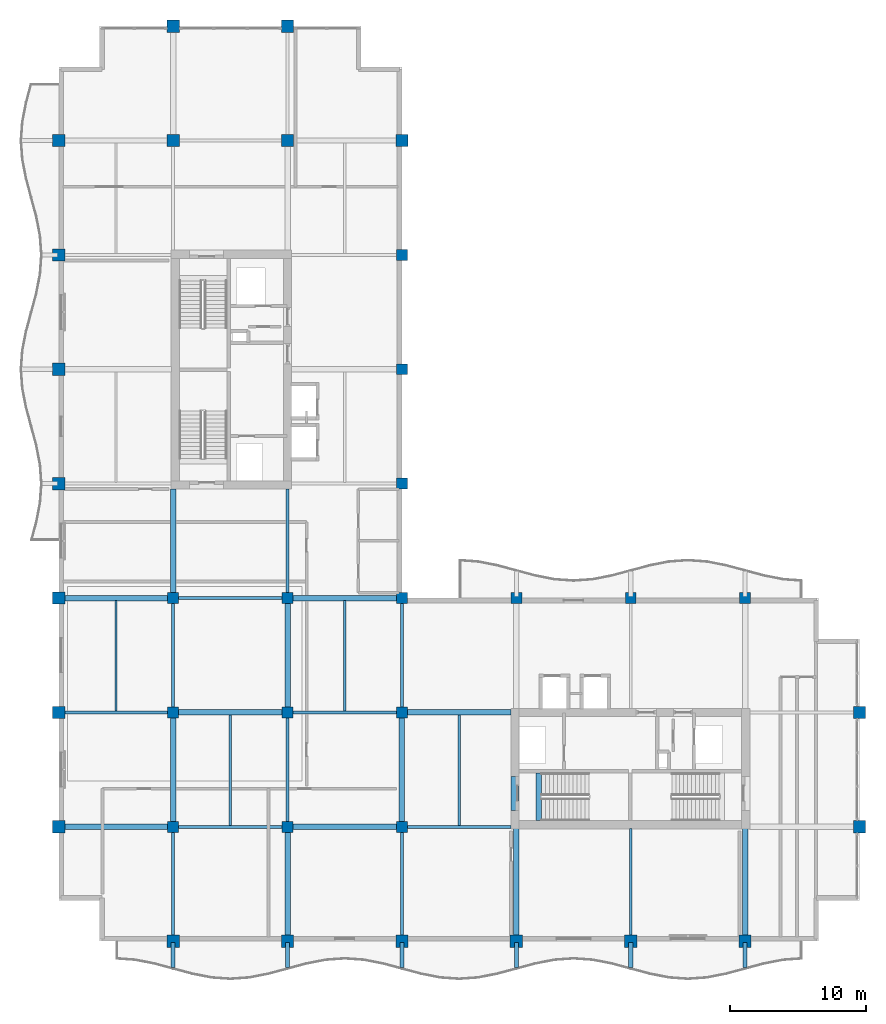
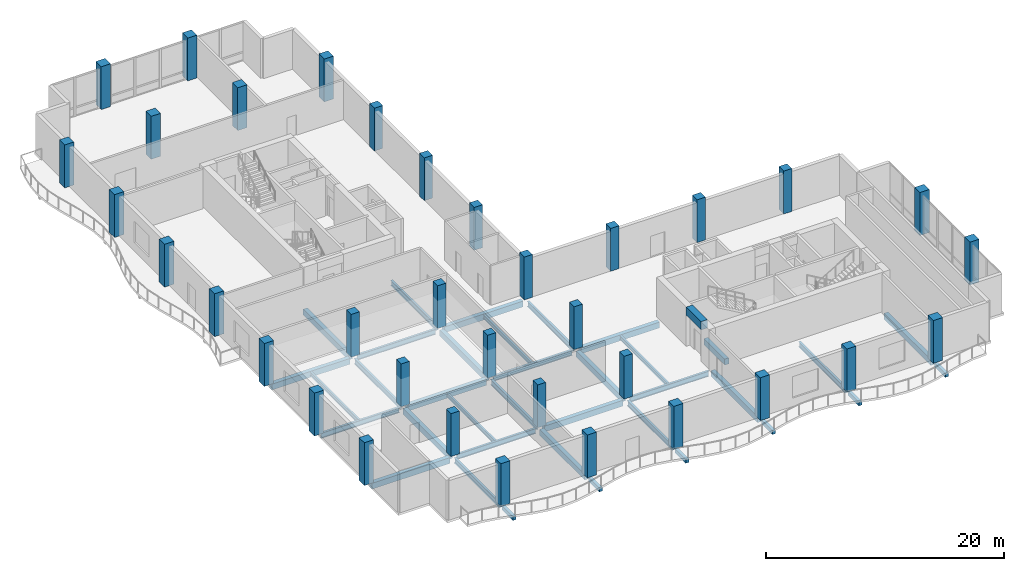
# One storey, part 1 of 15: 37 beams, 35 columns.
"""IFC4 building model written with IfcOpenShell, lengths in metres."""

from ifc_helpers import new_model, si_unit, direction, frame, origin, origin_2d, place, context, subcontext, project, spatial, rectangle, i_section, extrude, material, material_profile, profile_set, type_object, element, save


model = new_model("IFC4")

# Units and contexts
model_context = context("Model", 3, precision=1e-05, world=origin(), true_north=direction((0.0, 1.0)))
body_context = subcontext(model_context, "Body", "Model", "MODEL_VIEW")
ifc_project = project(units=[si_unit("LENGTHUNIT", "METRE"), si_unit("AREAUNIT", "SQUARE_METRE"), si_unit("VOLUMEUNIT", "CUBIC_METRE"), si_unit("PLANEANGLEUNIT", "RADIAN"), si_unit("MASSUNIT", "GRAM", prefix="KILO")], contexts=[model_context])

# Site, building, storey
site_placement = place(None, origin())
site = spatial("IfcSite", under=ifc_project, at=site_placement, CompositionType="ELEMENT")
building_placement = place(site_placement, origin())
building = spatial("IfcBuilding", under=site, at=building_placement, Name="Koriwani Terraces Tower", CompositionType="ELEMENT")
storey_placement = place(building_placement, frame((0.0, 0.0, 290.39990234375)))
storey = spatial("IfcBuildingStorey", under=building, at=storey_placement, Name="L72", CompositionType="ELEMENT", Elevation=290.39990234375)

# Columns
ifc_material_1 = material(Name="Concrete C50/60", Category="concrete")
ifc_material_profile_1 = material_profile(ifc_material_1, rectangle(XDim=0.800048828125, YDim=0.800048828125, at=origin_2d()), Name="Concrete C50/60", Category="LoadBearing")
ifc_profile_set_1 = profile_set([ifc_material_profile_1], Name="Concrete C50/60")
column_type_1 = type_object("IfcColumnType", Name="COL_RC_800X800", PredefinedType="COLUMN", material=ifc_profile_set_1)
for number, where, z_axis, x_axis, name in (
    (1, (16.800048828125, 16.800048828125, 0.0), (0.0, 0.0, 1.0), (1.0, 0.0, 0.0), "L72 Column 3/C"),
    (2, (16.800048828125, 25.199951171875, 0.0), (0.0, 0.0, 1.0), (1.0, 0.0, 0.0), "L72 Column 3/D"),
    (3, (16.800048828125, 33.60009765625, 0.0), (0.0, 0.0, 1.0), (1.0, 0.0, 0.0), "L72 Column 3/E"),
    (4, (25.199951171875, 16.800048828125, 0.0), (0.0, 0.0, 1.0), (1.0, 0.0, 0.0), "L72 Column 4/C"),
    (5, (25.199951171875, 25.199951171875, 0.0), (0.0, 0.0, 1.0), (1.0, 0.0, 0.0), "L72 Column 4/D"),
    (6, (25.199951171875, 33.60009765625, 0.0), (0.0, 0.0, 1.0), (1.0, 0.0, 0.0), "L72 Column 4/E"),
    (7, (33.60009765625, 16.800048828125, 0.0), (0.0, 0.0, 1.0), (1.0, 0.0, 0.0), "L72 Column 5/C"),
    (8, (33.60009765625, 25.199951171875, 0.0), (0.0, 0.0, 1.0), (1.0, 0.0, 0.0), "L72 Column 5/D"),
    (9, (33.60009765625, 33.60009765625, 0.0), (0.0, 0.0, 1.0), (1.0, 0.0, 0.0), "L72 Column 5/E"),
    (10, (33.60009765625, 42.0, 0.0), (0.0, 0.0, 1.0), (1.0, 0.0, 0.0), "L72 Column 5/F"),
    (11, (33.60009765625, 50.39990234375, 0.0), (0.0, 0.0, 1.0), (1.0, 0.0, 0.0), "L72 Column 5/G"),
    (12, (33.60009765625, 58.800048828125, 0.0), (0.0, 0.0, 1.0), (1.0, 0.0, 0.0), "L72 Column 5/H"),
    (13, (42.0, 33.60009765625, 0.0), (0.0, 0.0, 1.0), (1.0, 0.0, 0.0), "L72 Column 6/E"),
    (14, (50.39990234375, 33.60009765625, 0.0), (0.0, 0.0, 1.0), (1.0, 0.0, 0.0), "L72 Column 7/E"),
    (15, (58.800048828125, 33.60009765625, 0.0), (0.0, 0.0, 1.0), (1.0, 0.0, 0.0), "L72 Column 8/E"),
):
    element("IfcColumn", number, at=place(storey_placement, frame(where, z_axis=z_axis, x_axis=x_axis)), inside=storey, type_object=column_type_1, Name=name, PredefinedType="COLUMN", context=body_context, shape_type="SweptSolid", body=[
        extrude(rectangle(XDim=0.800048828125, YDim=0.800048828125, at=origin_2d()), origin(), (0.0, 0.0, 1.0), 4.400146484375),
    ])
ifc_material_profile_2 = material_profile(ifc_material_1, rectangle(XDim=0.89990234375, YDim=0.89990234375, at=origin_2d()), Name="Concrete C50/60", Category="LoadBearing")
ifc_profile_set_2 = profile_set([ifc_material_profile_2], Name="Concrete C50/60")
column_type_2 = type_object("IfcColumnType", Name="COL_RC_900X900", PredefinedType="COLUMN", material=ifc_profile_set_2)
for number, where, z_axis, x_axis, name in (
    (16, (8.39990234375, 16.800048828125, 0.0), (0.0, 0.0, 1.0), (1.0, 0.0, 0.0), "L72 Column 2/C"),
    (17, (8.39990234375, 25.199951171875, 0.0), (0.0, 0.0, 1.0), (1.0, 0.0, 0.0), "L72 Column 2/D"),
    (18, (8.39990234375, 33.60009765625, 0.0), (0.0, 0.0, 1.0), (1.0, 0.0, 0.0), "L72 Column 2/E"),
    (19, (8.39990234375, 42.0, 0.0), (0.0, 0.0, 1.0), (1.0, 0.0, 0.0), "L72 Column 2/F"),
    (20, (8.39990234375, 50.39990234375, 0.0), (0.0, 0.0, 1.0), (1.0, 0.0, 0.0), "L72 Column 2/G"),
    (21, (8.39990234375, 58.800048828125, 0.0), (0.0, 0.0, 1.0), (1.0, 0.0, 0.0), "L72 Column 2/H"),
    (22, (8.39990234375, 67.199951171875, 0.0), (0.0, 0.0, 1.0), (1.0, 0.0, 0.0), "L72 Column 2/I"),
    (23, (16.800048828125, 8.39990234375, 0.0), (0.0, 0.0, 1.0), (1.0, 0.0, 0.0), "L72 Column 3/B"),
    (24, (16.800048828125, 67.199951171875, 0.0), (0.0, 0.0, 1.0), (1.0, 0.0, 0.0), "L72 Column 3/I"),
    (25, (16.800048828125, 75.60009765625, 0.0), (0.0, 0.0, 1.0), (1.0, 0.0, 0.0), "L72 Column 3/J"),
    (26, (25.199951171875, 8.39990234375, 0.0), (0.0, 0.0, 1.0), (1.0, 0.0, 0.0), "L72 Column 4/B"),
    (27, (25.199951171875, 67.199951171875, 0.0), (0.0, 0.0, 1.0), (1.0, 0.0, 0.0), "L72 Column 4/I"),
    (28, (25.199951171875, 75.60009765625, 0.0), (0.0, 0.0, 1.0), (1.0, 0.0, 0.0), "L72 Column 4/J"),
    (29, (33.60009765625, 8.39990234375, 0.0), (0.0, 0.0, 1.0), (1.0, 0.0, 0.0), "L72 Column 5/B"),
    (30, (33.60009765625, 67.199951171875, 0.0), (0.0, 0.0, 1.0), (1.0, 0.0, 0.0), "L72 Column 5/I"),
    (31, (42.0, 8.39990234375, 0.0), (0.0, 0.0, 1.0), (1.0, 0.0, 0.0), "L72 Column 6/B"),
    (32, (50.39990234375, 8.39990234375, 0.0), (0.0, 0.0, 1.0), (1.0, 0.0, 0.0), "L72 Column 7/B"),
    (33, (58.800048828125, 8.39990234375, 0.0), (0.0, 0.0, 1.0), (1.0, 0.0, 0.0), "L72 Column 8/B"),
    (34, (67.199951171875, 16.800048828125, 0.0), (0.0, 0.0, 1.0), (1.0, 0.0, 0.0), "L72 Column 9/C"),
    (35, (67.199951171875, 25.199951171875, 0.0), (0.0, 0.0, 1.0), (1.0, 0.0, 0.0), "L72 Column 9/D"),
):
    element("IfcColumn", number, at=place(storey_placement, frame(where, z_axis=z_axis, x_axis=x_axis)), inside=storey, type_object=column_type_2, Name=name, PredefinedType="COLUMN", context=body_context, shape_type="SweptSolid", body=[
        extrude(rectangle(XDim=0.89990234375, YDim=0.89990234375, at=origin_2d()), origin(), (0.0, 0.0, 1.0), 4.400146484375),
    ])

# Beams
ifc_material_2 = material(Name="Concrete C40/50", Category="concrete")
ifc_material_profile_3 = material_profile(ifc_material_2, rectangle(XDim=0.300048828125, YDim=0.39990234375, at=origin_2d()), Name="Concrete C40/50", Category="LoadBearing")
ifc_profile_set_3 = profile_set([ifc_material_profile_3], Name="Concrete C40/50")
beam_type_1 = type_object("IfcBeamType", Name="BEAM_RC_BALCONY_RIB_300X400", PredefinedType="JOIST", material=ifc_profile_set_3)
for number, where, z_axis, x_axis, name in (
    (36, (16.800048828125, 6.449951171875, -0.429931640625), (0.0, 1.0, 0.0), (-1.0, 0.0, 0.0), "L72 Balcony Bracket Rib S-1"),
    (37, (25.199951171875, 6.449951171875, -0.429931640625), (0.0, 1.0, 0.0), (-1.0, 0.0, 0.0), "L72 Balcony Bracket Rib S-2"),
    (38, (33.60009765625, 6.449951171875, -0.429931640625), (0.0, 1.0, 0.0), (-1.0, 0.0, 0.0), "L72 Balcony Bracket Rib S-3"),
    (39, (42.0, 6.449951171875, -0.429931640625), (0.0, 1.0, 0.0), (-1.0, 0.0, 0.0), "L72 Balcony Bracket Rib S-4"),
    (40, (50.39990234375, 6.449951171875, -0.429931640625), (0.0, 1.0, 0.0), (-1.0, 0.0, 0.0), "L72 Balcony Bracket Rib S-5"),
    (41, (58.800048828125, 6.449951171875, -0.429931640625), (0.0, 1.0, 0.0), (-1.0, 0.0, 0.0), "L72 Balcony Bracket Rib S-6"),
):
    element("IfcBeam", number, at=place(storey_placement, frame(where, z_axis=z_axis, x_axis=x_axis)), inside=storey, type_object=beam_type_1, Name=name, PredefinedType="JOIST", context=body_context, shape_type="SweptSolid", body=[
        extrude(rectangle(XDim=0.300048828125, YDim=0.39990234375, at=origin_2d()), origin(), (0.0, 0.0, 1.0), 1.85009765625),
    ])
ifc_material_profile_4 = material_profile(ifc_material_1, rectangle(XDim=0.60009765625, YDim=0.85009765625, at=origin_2d()), Name="Concrete C50/60", Category="LoadBearing")
ifc_profile_set_4 = profile_set([ifc_material_profile_4], Name="Concrete C50/60")
beam_type_2 = type_object("IfcBeamType", Name="BEAM_RC_COUPLING_600X850", PredefinedType="LINTEL", material=ifc_profile_set_4)
beam_1_placement = place(storey_placement, frame((41.89990234375, 18.0, 3.625), z_axis=(0.0, 1.0, 0.0), x_axis=(-1.0, 0.0, 0.0)))
element("IfcBeam", 42, at=beam_1_placement, inside=storey, type_object=beam_type_2, Name="L72 Core Coupling Lintel Beam EW", PredefinedType="LINTEL", context=body_context, shape_type="SweptSolid", body=[
    extrude(rectangle(XDim=0.60009765625, YDim=0.85009765625, at=origin_2d()), origin(), (0.0, 0.0, 1.0), 2.5),
])
ifc_material_profile_5 = material_profile(ifc_material_2, rectangle(XDim=0.39990234375, YDim=0.60009765625, at=origin_2d()), Name="Concrete C40/50", Category="LoadBearing")
ifc_profile_set_5 = profile_set([ifc_material_profile_5], Name="Concrete C40/50")
beam_type_3 = type_object("IfcBeamType", Name="BEAM_RC_GRID_400X600", PredefinedType="BEAM", material=ifc_profile_set_5)
beam_2_placement = place(storey_placement, frame((43.655029296875, 17.25, -0.2998046875), z_axis=(0.0, 1.0, 0.0), x_axis=(-1.0, 0.0, 0.0)))
element("IfcBeam", 43, at=beam_2_placement, inside=storey, type_object=beam_type_3, Name="L72 Stairwell Header Trimmer Beam ST-E1", PredefinedType="BEAM", context=body_context, shape_type="SweptSolid", body=[
    extrude(rectangle(XDim=0.39990234375, YDim=0.60009765625, at=origin_2d()), origin(), (0.0, 0.0, 1.0), 3.5),
])
beam_3_placement = place(storey_placement, frame((8.830078125, 16.800048828125, -0.52978515625), z_axis=(1.0, 0.0, 0.0), x_axis=(0.0, 1.0, 0.0)))
element("IfcBeam", 44, at=beam_3_placement, inside=storey, type_object=beam_type_3, Name="L72 Grid Beam C (8.4-16.8m)", PredefinedType="BEAM", context=body_context, shape_type="SweptSolid", body=[
    extrude(rectangle(XDim=0.39990234375, YDim=0.60009765625, at=origin_2d()), origin(), (0.0, 0.0, 1.0), 7.58984375),
])
beam_4_placement = place(storey_placement, frame((25.580078125, 16.800048828125, -0.52978515625), z_axis=(1.0, 0.0, 0.0), x_axis=(0.0, 1.0, 0.0)))
element("IfcBeam", 45, at=beam_4_placement, inside=storey, type_object=beam_type_3, Name="L72 Grid Beam C (25.2-33.6m)", PredefinedType="BEAM", context=body_context, shape_type="SweptSolid", body=[
    extrude(rectangle(XDim=0.39990234375, YDim=0.60009765625, at=origin_2d()), origin(), (0.0, 0.0, 1.0), 7.639892578125),
])
for number, where, z_axis, x_axis, name in (
    (46, (17.179931640625, 25.199951171875, -0.52978515625), (1.0, 0.0, 0.0), (0.0, 1.0, 0.0), "L72 Grid Beam D (16.8-25.2m)"),
    (47, (33.97998046875, 25.199951171875, -0.52978515625), (1.0, 0.0, 0.0), (0.0, 1.0, 0.0), "L72 Grid Beam D (33.6-42.0m)"),
):
    element("IfcBeam", number, at=place(storey_placement, frame(where, z_axis=z_axis, x_axis=x_axis)), inside=storey, type_object=beam_type_3, Name=name, PredefinedType="BEAM", context=body_context, shape_type="SweptSolid", body=[
        extrude(rectangle(XDim=0.39990234375, YDim=0.60009765625, at=origin_2d()), origin(), (0.0, 0.0, 1.0), 7.64013671875),
    ])
beam_5_placement = place(storey_placement, frame((8.830078125, 33.60009765625, -0.52978515625), z_axis=(1.0, 0.0, 0.0), x_axis=(0.0, 1.0, 0.0)))
element("IfcBeam", 48, at=beam_5_placement, inside=storey, type_object=beam_type_3, Name="L72 Grid Beam E (8.4-16.8m)", PredefinedType="BEAM", context=body_context, shape_type="SweptSolid", body=[
    extrude(rectangle(XDim=0.39990234375, YDim=0.60009765625, at=origin_2d()), origin(), (0.0, 0.0, 1.0), 7.58984375),
])
beam_6_placement = place(storey_placement, frame((25.580078125, 33.60009765625, -0.52978515625), z_axis=(1.0, 0.0, 0.0), x_axis=(0.0, 1.0, 0.0)))
element("IfcBeam", 49, at=beam_6_placement, inside=storey, type_object=beam_type_3, Name="L72 Grid Beam E (25.2-33.6m)", PredefinedType="BEAM", context=body_context, shape_type="SweptSolid", body=[
    extrude(rectangle(XDim=0.39990234375, YDim=0.60009765625, at=origin_2d()), origin(), (0.0, 0.0, 1.0), 7.639892578125),
])
for number, where, z_axis, x_axis, name in (
    (50, (16.800048828125, 17.179931640625, -0.52978515625), (0.0, 1.0, 0.0), (-1.0, 0.0, 0.0), "L72 Grid Beam 3 (16.8-25.2m)"),
    (51, (16.800048828125, 33.97998046875, -0.52978515625), (0.0, 1.0, 0.0), (-1.0, 0.0, 0.0), "L72 Grid Beam 3 (33.6-42.0m)"),
):
    element("IfcBeam", number, at=place(storey_placement, frame(where, z_axis=z_axis, x_axis=x_axis)), inside=storey, type_object=beam_type_3, Name=name, PredefinedType="BEAM", context=body_context, shape_type="SweptSolid", body=[
        extrude(rectangle(XDim=0.39990234375, YDim=0.60009765625, at=origin_2d()), origin(), (0.0, 0.0, 1.0), 7.64013671875),
    ])
beam_7_placement = place(storey_placement, frame((25.199951171875, 8.830078125, -0.52978515625), z_axis=(0.0, 1.0, 0.0), x_axis=(-1.0, 0.0, 0.0)))
element("IfcBeam", 52, at=beam_7_placement, inside=storey, type_object=beam_type_3, Name="L72 Grid Beam 4 (8.4-16.8m)", PredefinedType="BEAM", context=body_context, shape_type="SweptSolid", body=[
    extrude(rectangle(XDim=0.39990234375, YDim=0.60009765625, at=origin_2d()), origin(), (0.0, 0.0, 1.0), 7.58984375),
])
beam_8_placement = place(storey_placement, frame((25.199951171875, 25.580078125, -0.52978515625), z_axis=(0.0, 1.0, 0.0), x_axis=(-1.0, 0.0, 0.0)))
element("IfcBeam", 53, at=beam_8_placement, inside=storey, type_object=beam_type_3, Name="L72 Grid Beam 4 (25.2-33.6m)", PredefinedType="BEAM", context=body_context, shape_type="SweptSolid", body=[
    extrude(rectangle(XDim=0.39990234375, YDim=0.60009765625, at=origin_2d()), origin(), (0.0, 0.0, 1.0), 7.639892578125),
])
beam_9_placement = place(storey_placement, frame((33.60009765625, 17.179931640625, -0.52978515625), z_axis=(0.0, 1.0, 0.0), x_axis=(-1.0, 0.0, 0.0)))
element("IfcBeam", 54, at=beam_9_placement, inside=storey, type_object=beam_type_3, Name="L72 Grid Beam 5 (16.8-25.2m)", PredefinedType="BEAM", context=body_context, shape_type="SweptSolid", body=[
    extrude(rectangle(XDim=0.39990234375, YDim=0.60009765625, at=origin_2d()), origin(), (0.0, 0.0, 1.0), 7.64013671875),
])
for number, where, z_axis, x_axis, name in (
    (55, (42.0, 8.830078125, -0.52978515625), (0.0, 1.0, 0.0), (-1.0, 0.0, 0.0), "L72 Grid Beam 6 (8.4-16.8m)"),
    (56, (58.800048828125, 8.830078125, -0.52978515625), (0.0, 1.0, 0.0), (-1.0, 0.0, 0.0), "L72 Grid Beam 8 (8.4-16.8m)"),
):
    element("IfcBeam", number, at=place(storey_placement, frame(where, z_axis=z_axis, x_axis=x_axis)), inside=storey, type_object=beam_type_3, Name=name, PredefinedType="BEAM", context=body_context, shape_type="SweptSolid", body=[
        extrude(rectangle(XDim=0.39990234375, YDim=0.60009765625, at=origin_2d()), origin(), (0.0, 0.0, 1.0), 7.83984375),
    ])
ifc_material_3 = material(Name="Steel ASTM A572 Grade 50", Category="steel")
ifc_material_profile_6 = material_profile(ifc_material_3, i_section(OverallWidth=0.180908203125, OverallDepth=0.4169921875, WebThickness=0.010986328125, FlangeThickness=0.018310546875, at=origin_2d()), Name="Steel ASTM A572 Grade 50", Category="LoadBearing")
ifc_profile_set_6 = profile_set([ifc_material_profile_6], Name="Steel ASTM A572 Grade 50")
beam_type_4 = type_object("IfcBeamType", Name="STEEL_BEAM_W410X85", PredefinedType="JOIST", material=ifc_profile_set_6)
for number, where, z_axis, x_axis, name in (
    (57, (12.60009765625, 25.2958984375, -0.4384765625), (0.0, 1.0, 0.0), (-1.0, 0.0, 0.0), "L72 Secondary Steel Floor Joist X=12.6m"),
    (58, (21.0, 16.89599609375, -0.4384765625), (0.0, 1.0, 0.0), (-1.0, 0.0, 0.0), "L72 Secondary Steel Floor Joist X=21.0m"),
    (59, (29.39990234375, 25.2958984375, -0.4384765625), (0.0, 1.0, 0.0), (-1.0, 0.0, 0.0), "L72 Secondary Steel Floor Joist X=29.4m"),
    (60, (37.800048828125, 16.89599609375, -0.4384765625), (0.0, 1.0, 0.0), (-1.0, 0.0, 0.0), "L72 Secondary Steel Floor Joist X=37.8m"),
):
    element("IfcBeam", number, at=place(storey_placement, frame(where, z_axis=z_axis, x_axis=x_axis)), inside=storey, type_object=beam_type_4, Name=name, PredefinedType="JOIST", context=body_context, shape_type="SweptSolid", body=[
        extrude(i_section(OverallWidth=0.180908203125, OverallDepth=0.4169921875, WebThickness=0.010986328125, FlangeThickness=0.018310546875, at=origin_2d()), origin(), (0.0, 0.0, 1.0), 8.114013671875),
    ])
ifc_material_profile_7 = material_profile(ifc_material_3, i_section(OverallWidth=0.2119140625, OverallDepth=0.54296875, WebThickness=0.0126953125, FlangeThickness=0.021240234375, at=origin_2d()), Name="Steel ASTM A572 Grade 50", Category="LoadBearing")
ifc_profile_set_7 = profile_set([ifc_material_profile_7], Name="Steel ASTM A572 Grade 50")
beam_type_5 = type_object("IfcBeamType", Name="STEEL_BEAM_W530X150", PredefinedType="BEAM", material=ifc_profile_set_7)
for number, where, z_axis, x_axis, name in (
    (61, (17.179931640625, 16.800048828125, -0.50146484375), (1.0, 0.0, 0.0), (0.0, 1.0, 0.0), "L72 Grid Beam C (16.8-25.2m)"),
    (62, (33.97998046875, 16.800048828125, -0.50146484375), (1.0, 0.0, 0.0), (0.0, 1.0, 0.0), "L72 Grid Beam C (33.6-42.0m)"),
):
    element("IfcBeam", number, at=place(storey_placement, frame(where, z_axis=z_axis, x_axis=x_axis)), inside=storey, type_object=beam_type_5, Name=name, PredefinedType="BEAM", context=body_context, shape_type="SweptSolid", body=[
        extrude(i_section(OverallWidth=0.2119140625, OverallDepth=0.54296875, WebThickness=0.0126953125, FlangeThickness=0.021240234375, at=origin_2d()), origin(), (0.0, 0.0, 1.0), 7.64013671875),
    ])
beam_10_placement = place(storey_placement, frame((8.830078125, 25.199951171875, -0.50146484375), z_axis=(1.0, 0.0, 0.0), x_axis=(0.0, 1.0, 0.0)))
element("IfcBeam", 63, at=beam_10_placement, inside=storey, type_object=beam_type_5, Name="L72 Grid Beam D (8.4-16.8m)", PredefinedType="BEAM", context=body_context, shape_type="SweptSolid", body=[
    extrude(i_section(OverallWidth=0.2119140625, OverallDepth=0.54296875, WebThickness=0.0126953125, FlangeThickness=0.021240234375, at=origin_2d()), origin(), (0.0, 0.0, 1.0), 7.58984375),
])
beam_11_placement = place(storey_placement, frame((25.580078125, 25.199951171875, -0.50146484375), z_axis=(1.0, 0.0, 0.0), x_axis=(0.0, 1.0, 0.0)))
element("IfcBeam", 64, at=beam_11_placement, inside=storey, type_object=beam_type_5, Name="L72 Grid Beam D (25.2-33.6m)", PredefinedType="BEAM", context=body_context, shape_type="SweptSolid", body=[
    extrude(i_section(OverallWidth=0.2119140625, OverallDepth=0.54296875, WebThickness=0.0126953125, FlangeThickness=0.021240234375, at=origin_2d()), origin(), (0.0, 0.0, 1.0), 7.639892578125),
])
beam_12_placement = place(storey_placement, frame((17.179931640625, 33.60009765625, -0.50146484375), z_axis=(1.0, 0.0, 0.0), x_axis=(0.0, 1.0, 0.0)))
element("IfcBeam", 65, at=beam_12_placement, inside=storey, type_object=beam_type_5, Name="L72 Grid Beam E (16.8-25.2m)", PredefinedType="BEAM", context=body_context, shape_type="SweptSolid", body=[
    extrude(i_section(OverallWidth=0.2119140625, OverallDepth=0.54296875, WebThickness=0.0126953125, FlangeThickness=0.021240234375, at=origin_2d()), origin(), (0.0, 0.0, 1.0), 7.64013671875),
])
beam_13_placement = place(storey_placement, frame((16.800048828125, 8.830078125, -0.50146484375), z_axis=(0.0, 1.0, 0.0), x_axis=(-1.0, 0.0, 0.0)))
element("IfcBeam", 66, at=beam_13_placement, inside=storey, type_object=beam_type_5, Name="L72 Grid Beam 3 (8.4-16.8m)", PredefinedType="BEAM", context=body_context, shape_type="SweptSolid", body=[
    extrude(i_section(OverallWidth=0.2119140625, OverallDepth=0.54296875, WebThickness=0.0126953125, FlangeThickness=0.021240234375, at=origin_2d()), origin(), (0.0, 0.0, 1.0), 7.58984375),
])
beam_14_placement = place(storey_placement, frame((16.800048828125, 25.580078125, -0.50146484375), z_axis=(0.0, 1.0, 0.0), x_axis=(-1.0, 0.0, 0.0)))
element("IfcBeam", 67, at=beam_14_placement, inside=storey, type_object=beam_type_5, Name="L72 Grid Beam 3 (25.2-33.6m)", PredefinedType="BEAM", context=body_context, shape_type="SweptSolid", body=[
    extrude(i_section(OverallWidth=0.2119140625, OverallDepth=0.54296875, WebThickness=0.0126953125, FlangeThickness=0.021240234375, at=origin_2d()), origin(), (0.0, 0.0, 1.0), 7.639892578125),
])
for number, where, z_axis, x_axis, name in (
    (68, (25.199951171875, 17.179931640625, -0.50146484375), (0.0, 1.0, 0.0), (-1.0, 0.0, 0.0), "L72 Grid Beam 4 (16.8-25.2m)"),
    (69, (25.199951171875, 33.97998046875, -0.50146484375), (0.0, 1.0, 0.0), (-1.0, 0.0, 0.0), "L72 Grid Beam 4 (33.6-42.0m)"),
):
    element("IfcBeam", number, at=place(storey_placement, frame(where, z_axis=z_axis, x_axis=x_axis)), inside=storey, type_object=beam_type_5, Name=name, PredefinedType="BEAM", context=body_context, shape_type="SweptSolid", body=[
        extrude(i_section(OverallWidth=0.2119140625, OverallDepth=0.54296875, WebThickness=0.0126953125, FlangeThickness=0.021240234375, at=origin_2d()), origin(), (0.0, 0.0, 1.0), 7.64013671875),
    ])
beam_15_placement = place(storey_placement, frame((33.60009765625, 8.830078125, -0.50146484375), z_axis=(0.0, 1.0, 0.0), x_axis=(-1.0, 0.0, 0.0)))
element("IfcBeam", 70, at=beam_15_placement, inside=storey, type_object=beam_type_5, Name="L72 Grid Beam 5 (8.4-16.8m)", PredefinedType="BEAM", context=body_context, shape_type="SweptSolid", body=[
    extrude(i_section(OverallWidth=0.2119140625, OverallDepth=0.54296875, WebThickness=0.0126953125, FlangeThickness=0.021240234375, at=origin_2d()), origin(), (0.0, 0.0, 1.0), 7.58984375),
])
beam_16_placement = place(storey_placement, frame((33.60009765625, 25.580078125, -0.50146484375), z_axis=(0.0, 1.0, 0.0), x_axis=(-1.0, 0.0, 0.0)))
element("IfcBeam", 71, at=beam_16_placement, inside=storey, type_object=beam_type_5, Name="L72 Grid Beam 5 (25.2-33.6m)", PredefinedType="BEAM", context=body_context, shape_type="SweptSolid", body=[
    extrude(i_section(OverallWidth=0.2119140625, OverallDepth=0.54296875, WebThickness=0.0126953125, FlangeThickness=0.021240234375, at=origin_2d()), origin(), (0.0, 0.0, 1.0), 7.639892578125),
])
beam_17_placement = place(storey_placement, frame((50.39990234375, 8.830078125, -0.50146484375), z_axis=(0.0, 1.0, 0.0), x_axis=(-1.0, 0.0, 0.0)))
element("IfcBeam", 72, at=beam_17_placement, inside=storey, type_object=beam_type_5, Name="L72 Grid Beam 7 (8.4-16.8m)", PredefinedType="BEAM", context=body_context, shape_type="SweptSolid", body=[
    extrude(i_section(OverallWidth=0.2119140625, OverallDepth=0.54296875, WebThickness=0.0126953125, FlangeThickness=0.021240234375, at=origin_2d()), origin(), (0.0, 0.0, 1.0), 7.83984375),
])

save(model, "model.ifc")
